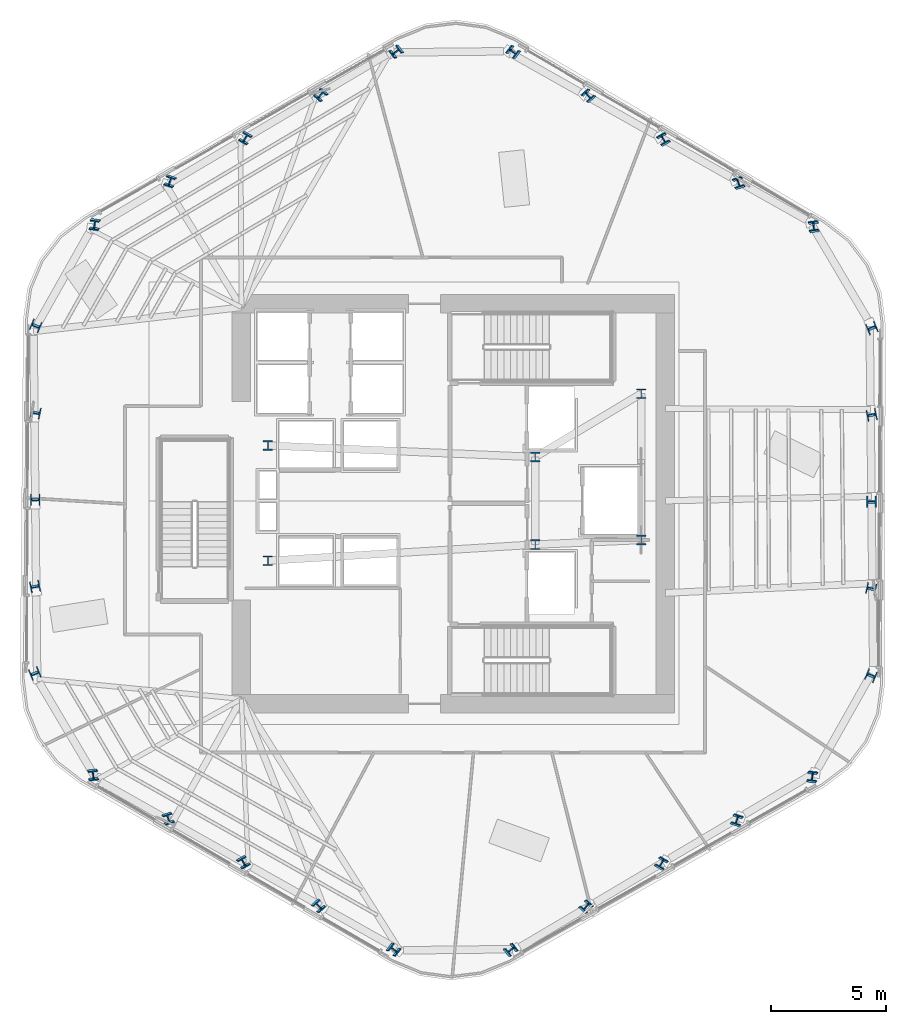
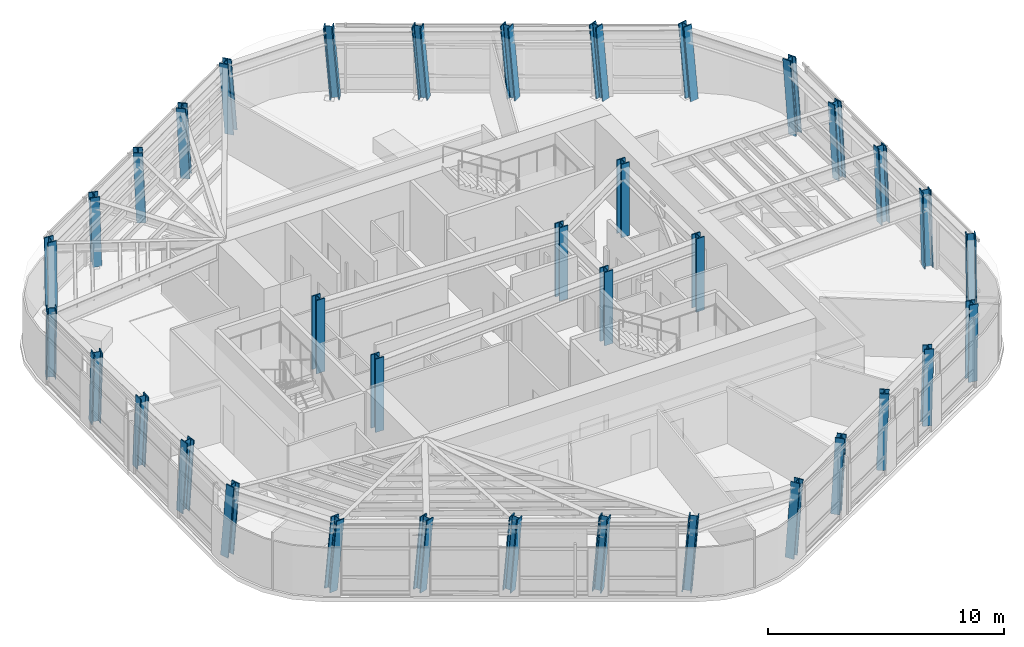
# One storey, part 1 of 16: 36 columns.
"""IFC4 building model written with IfcOpenShell, lengths in metres."""

from ifc_helpers import new_model, si_unit, direction, frame, origin, origin_2d, place, context, subcontext, project, spatial, i_section, extrude, material, material_profile, profile_set, type_object, element, save


model = new_model("IFC4")

# Units and contexts
model_context = context("Model", 3, precision=1e-05, world=origin(), true_north=direction((0.0, 1.0)))
body_context = subcontext(model_context, "Body", "Model", "MODEL_VIEW")
ifc_project = project(units=[si_unit("LENGTHUNIT", "METRE"), si_unit("AREAUNIT", "SQUARE_METRE"), si_unit("VOLUMEUNIT", "CUBIC_METRE"), si_unit("PLANEANGLEUNIT", "RADIAN"), si_unit("MASSUNIT", "GRAM", prefix="KILO")], contexts=[model_context])

# Site, building, storey
site_placement = place(None, origin())
site = spatial("IfcSite", under=ifc_project, at=site_placement, CompositionType="ELEMENT")
building_placement = place(site_placement, origin())
building = spatial("IfcBuilding", under=site, at=building_placement, Name="Valkerne Bourse Tower", CompositionType="ELEMENT")
storey_placement = place(building_placement, frame((0.0, 0.0, 151.39990234375)))
storey = spatial("IfcBuildingStorey", under=building, at=storey_placement, Name="L38", CompositionType="ELEMENT", Elevation=151.39990234375)

# Columns
ifc_material = material(Name="Steel ASTM A913 Grade 65", Category="steel")
ifc_material_profile_1 = material_profile(ifc_material, i_section(OverallWidth=0.406494140625, OverallDepth=0.41650390625, WebThickness=0.02978515625, FlangeThickness=0.048095703125, FilletRadius=0.025390625, at=origin_2d()), Name="W14X257")
ifc_profile_set_1 = profile_set([ifc_material_profile_1], Name="Steel ASTM A913 Grade 65")
column_type_1 = type_object("IfcColumnType", Name="COL-W14X257", PredefinedType="COLUMN", material=ifc_profile_set_1)
column_1_placement = place(storey_placement, frame((62.465576171875, 38.859619140625, 0.010009765625), z_axis=(-0.049618624148, 0.064484904535, 0.996684347838), x_axis=(0.990925492765, 0.127990156287, 0.041051037536)))
element("IfcColumn", 1, at=column_1_placement, inside=storey, type_object=column_type_1, Name="L38 Helical Perimeter Tube Column F1-C1", PredefinedType="COLUMN", context=body_context, shape_type="SweptSolid", body=[
    extrude(i_section(OverallWidth=0.406494140625, OverallDepth=0.41650390625, WebThickness=0.02978515625, FlangeThickness=0.048095703125, FilletRadius=0.025390625, at=origin_2d()), origin(), (0.0, 0.0, 1.0), 3.793701171875),
])
column_2_placement = place(storey_placement, frame((59.209716796875, 40.76220703125, 0.010009765625), z_axis=(-0.057426788494, 0.050924427913, 0.997050082295), x_axis=(0.949215977142, 0.312233008808, 0.038724371514)))
element("IfcColumn", 2, at=column_2_placement, inside=storey, type_object=column_type_1, Name="L38 Helical Perimeter Tube Column F1-C2", PredefinedType="COLUMN", context=body_context, shape_type="SweptSolid", body=[
    extrude(i_section(OverallWidth=0.406494140625, OverallDepth=0.41650390625, WebThickness=0.02978515625, FlangeThickness=0.048095703125, FilletRadius=0.025390625, at=origin_2d()), origin(), (0.0, 0.0, 1.0), 3.792236328125),
])
column_3_placement = place(storey_placement, frame((55.953857421875, 42.664794921875, 0.010009765625), z_axis=(-0.065224533514, 0.037409135214, 0.997169151564), x_axis=(0.865972290626, 0.498651037728, 0.037935925453)))
element("IfcColumn", 3, at=column_3_placement, inside=storey, type_object=column_type_1, Name="L38 Helical Perimeter Tube Column F1-C3", PredefinedType="COLUMN", context=body_context, shape_type="SweptSolid", body=[
    extrude(i_section(OverallWidth=0.406494140625, OverallDepth=0.41650390625, WebThickness=0.02978515625, FlangeThickness=0.048095703125, FilletRadius=0.025390625, at=origin_2d()), origin(), (0.0, 0.0, 1.0), 3.791748046875),
])
column_4_placement = place(storey_placement, frame((52.697998046875, 44.5673828125, 0.010009765625), z_axis=(-0.073006473355, 0.023820454269, 0.997046960181), x_axis=(0.746038585744, 0.664774598542, 0.038744828228)))
element("IfcColumn", 4, at=column_4_placement, inside=storey, type_object=column_type_1, Name="L38 Helical Perimeter Tube Column F1-C4", PredefinedType="COLUMN", context=body_context, shape_type="SweptSolid", body=[
    extrude(i_section(OverallWidth=0.406494140625, OverallDepth=0.41650390625, WebThickness=0.02978515625, FlangeThickness=0.048095703125, FilletRadius=0.025390625, at=origin_2d()), origin(), (0.0, 0.0, 1.0), 3.792236328125),
])
column_5_placement = place(storey_placement, frame((49.44189453125, 46.469970703125, 0.010009765625), z_axis=(-0.080638782354, 0.010297051218, 0.996690201375), x_axis=(0.608169521965, 0.792746879535, 0.041014845373)))
element("IfcColumn", 5, at=column_5_placement, inside=storey, type_object=column_type_1, Name="L38 Helical Perimeter Tube Column F1-C5", PredefinedType="COLUMN", context=body_context, shape_type="SweptSolid", body=[
    extrude(i_section(OverallWidth=0.406494140625, OverallDepth=0.41650390625, WebThickness=0.02978515625, FlangeThickness=0.048095703125, FilletRadius=0.025390625, at=origin_2d()), origin(), (0.0, 0.0, 1.0), 3.79345703125),
])
column_6_placement = place(storey_placement, frame((44.362060546875, 46.49658203125, 0.010009765625), z_axis=(-0.080638400109, -0.010747496264, 0.996685476844), x_axis=(-0.604244624694, 0.795778761204, -0.040306286668)))
element("IfcColumn", 6, at=column_6_placement, inside=storey, type_object=column_type_1, Name="L38 Helical Perimeter Tube Column F2-C1", PredefinedType="COLUMN", context=body_context, shape_type="SweptSolid", body=[
    extrude(i_section(OverallWidth=0.406494140625, OverallDepth=0.41650390625, WebThickness=0.02978515625, FlangeThickness=0.048095703125, FilletRadius=0.025390625, at=origin_2d()), origin(), (0.0, 0.0, 1.0), 3.793701171875),
])
column_7_placement = place(storey_placement, frame((41.08642578125, 44.628173828125, 0.010009765625), z_axis=(-0.072813570841, -0.02427119028, 0.99705019594), x_axis=(-0.743332260594, 0.667840590811, -0.038027564021)))
element("IfcColumn", 7, at=column_7_placement, inside=storey, type_object=column_type_1, Name="L38 Helical Perimeter Tube Column F2-C2", PredefinedType="COLUMN", context=body_context, shape_type="SweptSolid", body=[
    extrude(i_section(OverallWidth=0.406494140625, OverallDepth=0.41650390625, WebThickness=0.02978515625, FlangeThickness=0.048095703125, FilletRadius=0.025390625, at=origin_2d()), origin(), (0.0, 0.0, 1.0), 3.792236328125),
])
column_8_placement = place(storey_placement, frame((37.810791015625, 42.759765625, 0.010009765625), z_axis=(-0.06503140257, -0.037731090996, 0.997169635244), x_axis=(-0.863256879385, 0.503388453231, -0.037250843584)))
element("IfcColumn", 8, at=column_8_placement, inside=storey, type_object=column_type_1, Name="L38 Helical Perimeter Tube Column F2-C3", PredefinedType="COLUMN", context=body_context, shape_type="SweptSolid", body=[
    extrude(i_section(OverallWidth=0.406494140625, OverallDepth=0.41650390625, WebThickness=0.02978515625, FlangeThickness=0.048095703125, FilletRadius=0.025390625, at=origin_2d()), origin(), (0.0, 0.0, 1.0), 3.791748046875),
])
column_9_placement = place(storey_placement, frame((34.53515625, 40.891357421875, 0.010009765625), z_axis=(-0.057105003065, -0.051246428906, 0.997052065917), x_axis=(-0.947816648008, 0.316541342494, -0.038015526452)))
element("IfcColumn", 9, at=column_9_placement, inside=storey, type_object=column_type_1, Name="L38 Helical Perimeter Tube Column F2-C4", PredefinedType="COLUMN", context=body_context, shape_type="SweptSolid", body=[
    extrude(i_section(OverallWidth=0.406494140625, OverallDepth=0.41650390625, WebThickness=0.02978515625, FlangeThickness=0.048095703125, FilletRadius=0.025390625, at=origin_2d()), origin(), (0.0, 0.0, 1.0), 3.792236328125),
])
column_10_placement = place(storey_placement, frame((31.259521484375, 39.02294921875, 0.010009765625), z_axis=(-0.049297013061, -0.064678195987, 0.996687782341), x_axis=(-0.990187817083, 0.133808139917, -0.040292289486)))
element("IfcColumn", 10, at=column_10_placement, inside=storey, type_object=column_type_1, Name="L38 Helical Perimeter Tube Column F2-C5", PredefinedType="COLUMN", context=body_context, shape_type="SweptSolid", body=[
    extrude(i_section(OverallWidth=0.406494140625, OverallDepth=0.41650390625, WebThickness=0.02978515625, FlangeThickness=0.048095703125, FilletRadius=0.025390625, at=origin_2d()), origin(), (0.0, 0.0, 1.0), 3.79345703125),
])
column_11_placement = place(storey_placement, frame((28.696533203125, 34.636962890625, 0.010009765625), z_axis=(-0.031019656352, -0.075232320074, 0.996683439682), x_axis=(-0.384758499791, -0.919423165535, -0.081375300407)))
element("IfcColumn", 11, at=column_11_placement, inside=storey, type_object=column_type_1, Name="L38 Helical Perimeter Tube Column F3-C1", PredefinedType="COLUMN", context=body_context, shape_type="SweptSolid", body=[
    extrude(i_section(OverallWidth=0.406494140625, OverallDepth=0.41650390625, WebThickness=0.02978515625, FlangeThickness=0.048095703125, FilletRadius=0.025390625, at=origin_2d()), origin(), (0.0, 0.0, 1.0), 3.793701171875),
])
column_12_placement = place(storey_placement, frame((28.6767578125, 30.865966796875, 0.010009765625), z_axis=(-0.015386774047, -0.075195615427, 0.997050082295), x_axis=(-0.205004991837, -0.975746883897, -0.076752666975)))
element("IfcColumn", 12, at=column_12_placement, inside=storey, type_object=column_type_1, Name="L38 Helical Perimeter Tube Column F3-C2", PredefinedType="COLUMN", context=body_context, shape_type="SweptSolid", body=[
    extrude(i_section(OverallWidth=0.406494140625, OverallDepth=0.41650390625, WebThickness=0.02978515625, FlangeThickness=0.048095703125, FilletRadius=0.025390625, at=origin_2d()), origin(), (0.0, 0.0, 1.0), 3.792236328125),
])
column_13_placement = place(storey_placement, frame((28.656982421875, 27.094970703125, 0.010009765625), z_axis=(0.000193163222, -0.075140493255, 0.997172938342), x_axis=(-0.002672563563, -0.997169434527, -0.075139711526)))
element("IfcColumn", 13, at=column_13_placement, inside=storey, type_object=column_type_1, Name="L38 Helical Perimeter Tube Column F3-C3", PredefinedType="COLUMN", context=body_context, shape_type="SweptSolid", body=[
    extrude(i_section(OverallWidth=0.406494140625, OverallDepth=0.41650390625, WebThickness=0.02978515625, FlangeThickness=0.048095703125, FilletRadius=0.025390625, at=origin_2d()), origin(), (0.0, 0.0, 1.0), 3.791748046875),
])
column_14_placement = place(storey_placement, frame((28.63720703125, 23.323974609375, 0.010009765625), z_axis=(0.015837474483, -0.075067053849, 0.997052712663), x_axis=(0.200698956183, -0.976644358085, -0.076718490653)))
element("IfcColumn", 14, at=column_14_placement, inside=storey, type_object=column_type_1, Name="L38 Helical Perimeter Tube Column F3-C4", PredefinedType="COLUMN", context=body_context, shape_type="SweptSolid", body=[
    extrude(i_section(OverallWidth=0.406494140625, OverallDepth=0.41650390625, WebThickness=0.02978515625, FlangeThickness=0.048095703125, FilletRadius=0.025390625, at=origin_2d()), origin(), (0.0, 0.0, 1.0), 3.792236328125),
])
for number, where, z_axis, x_axis, name in (
    (15, (28.617431640625, 19.552978515625, 0.010009765625), (0.031470162842, -0.075039283996, 0.996683868992), (0.380632052373, -0.921139596879, -0.081370042201), "L38 Helical Perimeter Tube Column F3-C5"),
    (16, (31.134521484375, 15.140380859375, 0.010009765625), (0.049618624148, -0.064484904535, 0.996684347838), (0.990925492765, 0.127990156287, -0.041051037536), "L38 Helical Perimeter Tube Column F4-C1"),
):
    element("IfcColumn", number, at=place(storey_placement, frame(where, z_axis=z_axis, x_axis=x_axis)), inside=storey, type_object=column_type_1, Name=name, PredefinedType="COLUMN", context=body_context, shape_type="SweptSolid", body=[
        extrude(i_section(OverallWidth=0.406494140625, OverallDepth=0.41650390625, WebThickness=0.02978515625, FlangeThickness=0.048095703125, FilletRadius=0.025390625, at=origin_2d()), origin(), (0.0, 0.0, 1.0), 3.793701171875),
    ])
column_15_placement = place(storey_placement, frame((34.390380859375, 13.23779296875, 0.010009765625), z_axis=(0.057426788494, -0.050924427913, 0.997050082295), x_axis=(0.949215977142, 0.312233008808, -0.038724371514)))
element("IfcColumn", 17, at=column_15_placement, inside=storey, type_object=column_type_1, Name="L38 Helical Perimeter Tube Column F4-C2", PredefinedType="COLUMN", context=body_context, shape_type="SweptSolid", body=[
    extrude(i_section(OverallWidth=0.406494140625, OverallDepth=0.41650390625, WebThickness=0.02978515625, FlangeThickness=0.048095703125, FilletRadius=0.025390625, at=origin_2d()), origin(), (0.0, 0.0, 1.0), 3.792236328125),
])
column_16_placement = place(storey_placement, frame((37.646240234375, 11.335205078125, 0.010009765625), z_axis=(0.065160419534, -0.037409292242, 0.997173337279), x_axis=(0.866186645265, 0.498280730139, -0.03790790862)))
element("IfcColumn", 18, at=column_16_placement, inside=storey, type_object=column_type_1, Name="L38 Helical Perimeter Tube Column F4-C3", PredefinedType="COLUMN", context=body_context, shape_type="SweptSolid", body=[
    extrude(i_section(OverallWidth=0.406494140625, OverallDepth=0.41650390625, WebThickness=0.02978515625, FlangeThickness=0.048095703125, FilletRadius=0.025390625, at=origin_2d()), origin(), (0.0, 0.0, 1.0), 3.791748046875),
])
column_17_placement = place(storey_placement, frame((40.902099609375, 9.4326171875, 0.010009765625), z_axis=(0.072942436437, -0.02382056618, 0.997051644396), x_axis=(0.746213813147, 0.664579687497, -0.038714132235)))
element("IfcColumn", 19, at=column_17_placement, inside=storey, type_object=column_type_1, Name="L38 Helical Perimeter Tube Column F4-C4", PredefinedType="COLUMN", context=body_context, shape_type="SweptSolid", body=[
    extrude(i_section(OverallWidth=0.406494140625, OverallDepth=0.41650390625, WebThickness=0.02978515625, FlangeThickness=0.048095703125, FilletRadius=0.025390625, at=origin_2d()), origin(), (0.0, 0.0, 1.0), 3.792236328125),
])
for number, where, z_axis, x_axis, name in (
    (20, (44.157958984375, 7.530029296875, 0.010009765625), (0.080702719941, -0.01029699776, 0.996685026892), (0.608087498767, 0.79280814244, -0.041046840619), "L38 Helical Perimeter Tube Column F4-C5"),
    (21, (49.238037109375, 7.50341796875, 0.010009765625), (0.080638400109, 0.010747496264, 0.996685476844), (-0.604244624694, 0.795778761204, 0.040306286668), "L38 Helical Perimeter Tube Column F5-C1"),
):
    element("IfcColumn", number, at=place(storey_placement, frame(where, z_axis=z_axis, x_axis=x_axis)), inside=storey, type_object=column_type_1, Name=name, PredefinedType="COLUMN", context=body_context, shape_type="SweptSolid", body=[
        extrude(i_section(OverallWidth=0.406494140625, OverallDepth=0.41650390625, WebThickness=0.02978515625, FlangeThickness=0.048095703125, FilletRadius=0.025390625, at=origin_2d()), origin(), (0.0, 0.0, 1.0), 3.793701171875),
    ])
column_18_placement = place(storey_placement, frame((52.513671875, 9.371826171875, 0.010009765625), z_axis=(0.072813570841, 0.02427119028, 0.99705019594), x_axis=(-0.743332260594, 0.667840590811, 0.038027564021)))
element("IfcColumn", 22, at=column_18_placement, inside=storey, type_object=column_type_1, Name="L38 Helical Perimeter Tube Column F5-C2", PredefinedType="COLUMN", context=body_context, shape_type="SweptSolid", body=[
    extrude(i_section(OverallWidth=0.406494140625, OverallDepth=0.41650390625, WebThickness=0.02978515625, FlangeThickness=0.048095703125, FilletRadius=0.025390625, at=origin_2d()), origin(), (0.0, 0.0, 1.0), 3.792236328125),
])
column_19_placement = place(storey_placement, frame((55.789306640625, 11.240234375, 0.010009765625), z_axis=(0.06496728694, 0.037731248907, 0.997173808563), x_axis=(-0.863475092994, 0.503016084795, 0.037223409514)))
element("IfcColumn", 23, at=column_19_placement, inside=storey, type_object=column_type_1, Name="L38 Helical Perimeter Tube Column F5-C3", PredefinedType="COLUMN", context=body_context, shape_type="SweptSolid", body=[
    extrude(i_section(OverallWidth=0.406494140625, OverallDepth=0.41650390625, WebThickness=0.02978515625, FlangeThickness=0.048095703125, FilletRadius=0.025390625, at=origin_2d()), origin(), (0.0, 0.0, 1.0), 3.791748046875),
])
column_20_placement = place(storey_placement, frame((59.064697265625, 13.108642578125, 0.010009765625), z_axis=(0.057169172705, 0.051246240398, 0.997048398292), x_axis=(-0.947637863602, 0.317073341478, 0.038039132373)))
element("IfcColumn", 24, at=column_20_placement, inside=storey, type_object=column_type_1, Name="L38 Helical Perimeter Tube Column F5-C4", PredefinedType="COLUMN", context=body_context, shape_type="SweptSolid", body=[
    extrude(i_section(OverallWidth=0.406494140625, OverallDepth=0.41650390625, WebThickness=0.02978515625, FlangeThickness=0.048095703125, FilletRadius=0.025390625, at=origin_2d()), origin(), (0.0, 0.0, 1.0), 3.792236328125),
])
column_21_placement = place(storey_placement, frame((62.34033203125, 14.97705078125, 0.010009765625), z_axis=(0.049297013061, 0.064678195987, 0.996687782341), x_axis=(-0.990187817083, 0.133808139917, 0.040292289486)))
element("IfcColumn", 25, at=column_21_placement, inside=storey, type_object=column_type_1, Name="L38 Helical Perimeter Tube Column F5-C5", PredefinedType="COLUMN", context=body_context, shape_type="SweptSolid", body=[
    extrude(i_section(OverallWidth=0.406494140625, OverallDepth=0.41650390625, WebThickness=0.02978515625, FlangeThickness=0.048095703125, FilletRadius=0.025390625, at=origin_2d()), origin(), (0.0, 0.0, 1.0), 3.79345703125),
])
column_22_placement = place(storey_placement, frame((64.903564453125, 19.363037109375, 0.010009765625), z_axis=(0.031019656352, 0.075232320074, 0.996683439682), x_axis=(-0.384758499791, -0.919423165535, 0.081375300407)))
element("IfcColumn", 26, at=column_22_placement, inside=storey, type_object=column_type_1, Name="L38 Helical Perimeter Tube Column F6-C1", PredefinedType="COLUMN", context=body_context, shape_type="SweptSolid", body=[
    extrude(i_section(OverallWidth=0.406494140625, OverallDepth=0.41650390625, WebThickness=0.02978515625, FlangeThickness=0.048095703125, FilletRadius=0.025390625, at=origin_2d()), origin(), (0.0, 0.0, 1.0), 3.793701171875),
])
column_23_placement = place(storey_placement, frame((64.923095703125, 23.134033203125, 0.010009765625), z_axis=(0.015451138517, 0.075195540783, 0.997049092555), x_axis=(-0.205806415053, -0.975577149204, 0.076765522689)))
element("IfcColumn", 27, at=column_23_placement, inside=storey, type_object=column_type_1, Name="L38 Helical Perimeter Tube Column F6-C2", PredefinedType="COLUMN", context=body_context, shape_type="SweptSolid", body=[
    extrude(i_section(OverallWidth=0.406494140625, OverallDepth=0.41650390625, WebThickness=0.02978515625, FlangeThickness=0.048095703125, FilletRadius=0.025390625, at=origin_2d()), origin(), (0.0, 0.0, 1.0), 3.792236328125),
])
column_24_placement = place(storey_placement, frame((64.943115234375, 26.905029296875, 0.010009765625), z_axis=(-0.000257550959, 0.075140492165, 0.997172923873), x_axis=(-0.001818097951, -0.997171344061, 0.07513990354)))
element("IfcColumn", 28, at=column_24_placement, inside=storey, type_object=column_type_1, Name="L38 Helical Perimeter Tube Column F6-C3", PredefinedType="COLUMN", context=body_context, shape_type="SweptSolid", body=[
    extrude(i_section(OverallWidth=0.406494140625, OverallDepth=0.41650390625, WebThickness=0.02978515625, FlangeThickness=0.048095703125, FilletRadius=0.025390625, at=origin_2d()), origin(), (0.0, 0.0, 1.0), 3.791748046875),
])
column_25_placement = place(storey_placement, frame((64.962646484375, 30.676025390625, 0.010009765625), z_axis=(-0.015837474483, 0.075067053849, 0.997052712663), x_axis=(0.200698956183, -0.976644358085, 0.076718490653)))
element("IfcColumn", 29, at=column_25_placement, inside=storey, type_object=column_type_1, Name="L38 Helical Perimeter Tube Column F6-C4", PredefinedType="COLUMN", context=body_context, shape_type="SweptSolid", body=[
    extrude(i_section(OverallWidth=0.406494140625, OverallDepth=0.41650390625, WebThickness=0.02978515625, FlangeThickness=0.048095703125, FilletRadius=0.025390625, at=origin_2d()), origin(), (0.0, 0.0, 1.0), 3.792236328125),
])
column_26_placement = place(storey_placement, frame((64.982421875, 34.447021484375, 0.010009765625), z_axis=(-0.031405870222, 0.075039435818, 0.996685885516), x_axis=(0.379960688202, -0.921418911908, 0.081345339131)))
element("IfcColumn", 30, at=column_26_placement, inside=storey, type_object=column_type_1, Name="L38 Helical Perimeter Tube Column F6-C5", PredefinedType="COLUMN", context=body_context, shape_type="SweptSolid", body=[
    extrude(i_section(OverallWidth=0.406494140625, OverallDepth=0.41650390625, WebThickness=0.02978515625, FlangeThickness=0.048095703125, FilletRadius=0.025390625, at=origin_2d()), origin(), (0.0, 0.0, 1.0), 3.79345703125),
])
ifc_material_profile_2 = material_profile(ifc_material, i_section(OverallWidth=0.408935546875, OverallDepth=0.42431640625, WebThickness=0.03271484375, FlangeThickness=0.052490234375, FilletRadius=0.025390625, at=origin_2d()), Name="W14X283")
ifc_profile_set_2 = profile_set([ifc_material_profile_2], Name="Steel ASTM A913 Grade 65")
column_type_2 = type_object("IfcColumnType", Name="COL-W14X283", PredefinedType="COLUMN", material=ifc_profile_set_2)
for number, where, z_axis, x_axis, name in (
    (31, (38.75, 24.39990234375, 0.005126953125), (0.0, 0.0, 1.0), (1.0, 0.0, 0.0), "L38 Core Frame Column CC-SW"),
    (32, (38.75, 29.39990234375, 0.005126953125), (0.0, 0.0, 1.0), (1.0, 0.0, 0.0), "L38 Core Frame Column CC-NW"),
    (33, (50.35009765625, 25.10009765625, 0.005126953125), (0.0, 0.0, 1.0), (1.0, 0.0, 0.0), "L38 Core Frame Column CC-CE1"),
    (34, (50.35009765625, 28.89990234375, 0.005126953125), (0.0, 0.0, 1.0), (1.0, 0.0, 0.0), "L38 Core Frame Column CC-CE2"),
    (35, (54.949951171875, 25.300048828125, 0.005126953125), (0.0, 0.0, 1.0), (1.0, 0.0, 0.0), "L38 Core Frame Column CC-SE"),
    (36, (54.949951171875, 31.64990234375, 0.005126953125), (0.0, 0.0, 1.0), (1.0, 0.0, 0.0), "L38 Core Frame Column CC-NE"),
):
    element("IfcColumn", number, at=place(storey_placement, frame(where, z_axis=z_axis, x_axis=x_axis)), inside=storey, type_object=column_type_2, Name=name, PredefinedType="COLUMN", context=body_context, shape_type="SweptSolid", body=[
        extrude(i_section(OverallWidth=0.408935546875, OverallDepth=0.42431640625, WebThickness=0.03271484375, FlangeThickness=0.052490234375, FilletRadius=0.025390625, at=origin_2d()), origin(), (0.0, 0.0, 1.0), 3.794921875),
    ])

save(model, "model.ifc")
